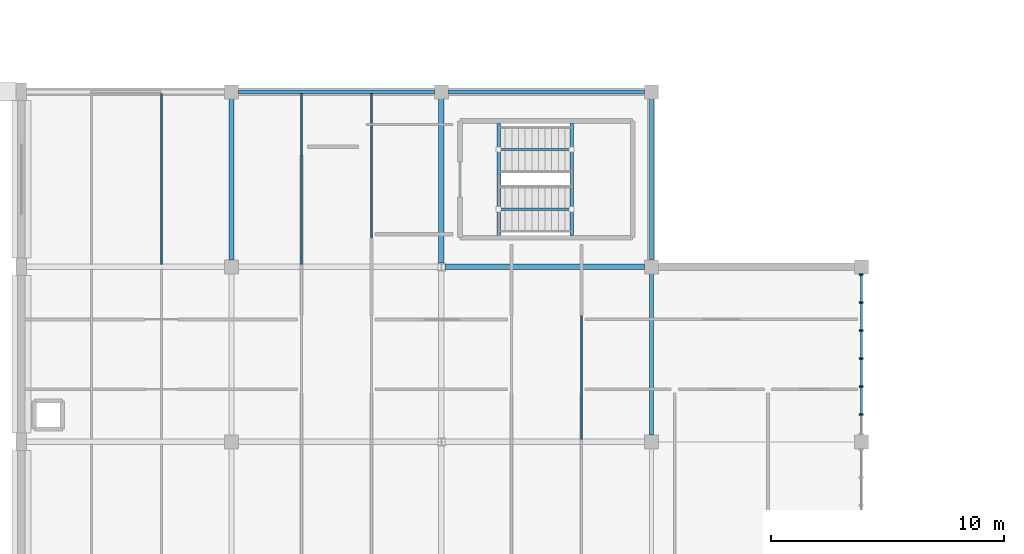
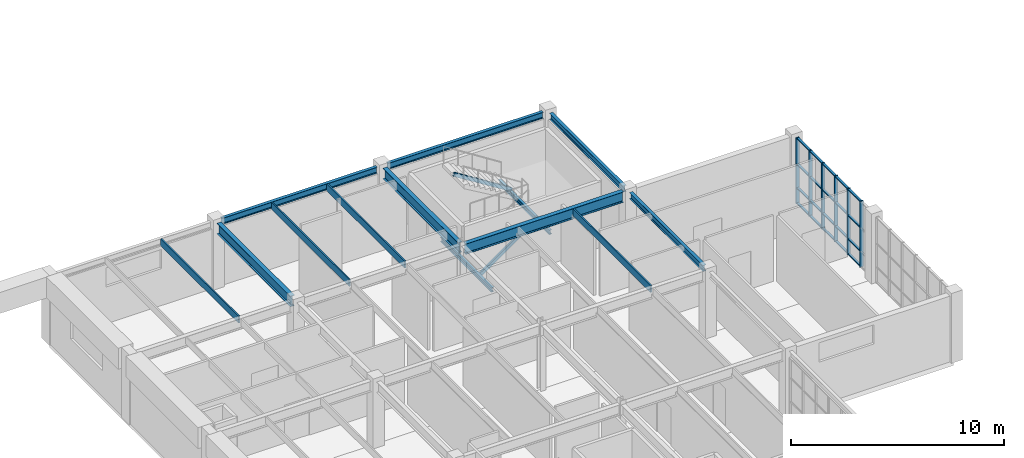
# One storey, part 22 of 76: 28 members, 13 beams, 1 element without a shape of its own.
"""IFC4 building model written with IfcOpenShell, lengths in metres."""

from ifc_helpers import new_model, si_unit, direction, frame, origin, origin_2d, place, context, subcontext, project, spatial, rectangle, hollow_rectangle, i_section, extrude, material, layer, layer_set, material_profile, profile_set, type_object, element, aggregate, save


model = new_model("IFC4")

# Units and contexts
model_context = context("Model", 3, precision=1e-05, world=origin(), true_north=direction((0.0, 1.0)))
body_context = subcontext(model_context, "Body", "Model", "MODEL_VIEW")
ifc_project = project(units=[si_unit("LENGTHUNIT", "METRE"), si_unit("AREAUNIT", "SQUARE_METRE"), si_unit("VOLUMEUNIT", "CUBIC_METRE"), si_unit("PLANEANGLEUNIT", "RADIAN"), si_unit("MASSUNIT", "GRAM", prefix="KILO")], contexts=[model_context])

# Site, building, storey
site_placement = place(None, origin())
site = spatial("IfcSite", under=ifc_project, at=site_placement, CompositionType="ELEMENT")
building_placement = place(site_placement, origin())
building = spatial("IfcBuilding", under=site, at=building_placement, Name="Marnridge Secondary College", CompositionType="ELEMENT")
storey_placement = place(building_placement, frame((0.0, 0.0, 4.5)))
storey = spatial("IfcBuildingStorey", under=building, at=storey_placement, Name="L01", CompositionType="ELEMENT", Elevation=4.5)

# Beams
ifc_material_1 = material(Name="Engineered timber LVL E13.2", Category="wood")
ifc_material_profile_1 = material_profile(ifc_material_1, rectangle(XDim=0.074951171875, YDim=0.39990234375, at=origin_2d()), Name="LVL 75x400")
ifc_profile_set_1 = profile_set([ifc_material_profile_1], Name="Engineered timber LVL E13.2")
beam_type_1 = type_object("IfcBeamType", Name="BM-LVL400-INT", PredefinedType="JOIST", material=ifc_profile_set_1)
for number, where, z_axis, x_axis, name in (
    (1, (96.0, 22.60791015625, 3.570068359375), (0.0, 1.0, 0.0), (-1.0, 0.0, 0.0), "Beam BJ-L01-0549"),
    (2, (102.0, 22.60791015625, 3.570068359375), (0.0, 1.0, 0.0), (-1.0, 0.0, 0.0), "Beam BJ-L01-0554"),
    (3, (105.0, 22.60791015625, 3.570068359375), (0.0, 1.0, 0.0), (-1.0, 0.0, 0.0), "Beam BJ-L01-0555"),
):
    element("IfcBeam", number, at=place(storey_placement, frame(where, z_axis=z_axis, x_axis=x_axis)), inside=storey, type_object=beam_type_1, Name=name, PredefinedType="JOIST", context=body_context, shape_type="SweptSolid", body=[
        extrude(rectangle(XDim=0.074951171875, YDim=0.39990234375, at=origin_2d()), origin(), (0.0, 0.0, 1.0), 7.3125),
    ])
beam_1_placement = place(storey_placement, frame((114.0, 15.10791015625, 3.570068359375), z_axis=(0.0, 1.0, 0.0), x_axis=(-1.0, 0.0, 0.0)))
element("IfcBeam", 4, at=beam_1_placement, inside=storey, type_object=beam_type_1, Name="Beam BJ-L01-0561", PredefinedType="JOIST", context=body_context, shape_type="SweptSolid", body=[
    extrude(rectangle(XDim=0.074951171875, YDim=0.39990234375, at=origin_2d()), origin(), (0.0, 0.0, 1.0), 7.2841796875),
])
ifc_material_2 = material(Name="Structural steel Grade 350 (AS/NZS 3679.1/.2, fy = 340-360 MPa)", Category="steel")
ifc_material_profile_2 = material_profile(ifc_material_2, i_section(OverallWidth=0.146240234375, OverallDepth=0.256103515625, WebThickness=0.00634765625, FlangeThickness=0.010986328125, FilletRadius=0.0087890625, at=origin_2d()), Name="250UB37.3")
ifc_profile_set_2 = profile_set([ifc_material_profile_2], Name="Structural steel Grade 350 (AS/NZS 3679.1/.2, fy = 340-360 MPa)")
beam_type_2 = type_object("IfcBeamType", Name="BM-UB250-EXT", PredefinedType="LINTEL", material=ifc_profile_set_2)
for number, where, z_axis, x_axis, name in (
    (5, (110.449951171875, 23.842041015625, -0.528076171875), (0.0, 1.0, 0.0), (-1.0, 0.0, 0.0), "Stair landing trimmer beam BT-L01-054"),
    (6, (113.5849609375, 23.842041015625, 1.671875), (0.0, 1.0, 0.0), (-1.0, 0.0, 0.0), "Stair landing trimmer beam BT-L01-055"),
):
    element("IfcBeam", number, at=place(storey_placement, frame(where, z_axis=z_axis, x_axis=x_axis)), inside=storey, type_object=beam_type_2, Name=name, PredefinedType="LINTEL", context=body_context, shape_type="SweptSolid", body=[
        extrude(i_section(OverallWidth=0.146240234375, OverallDepth=0.256103515625, WebThickness=0.00634765625, FlangeThickness=0.010986328125, FilletRadius=0.0087890625, at=origin_2d()), origin(), (0.0, 0.0, 1.0), 4.802978515625),
    ])
ifc_material_3 = material(Name="Structural steel Grade 350 (AS/NZS 3679.1/.2, fy = 340-360 MPa)", Category="steel")
ifc_material_profile_3 = material_profile(ifc_material_3, i_section(OverallWidth=0.1708984375, OverallDepth=0.35205078125, WebThickness=0.0068359375, FlangeThickness=0.009765625, FilletRadius=0.011474609375, at=origin_2d()), Name="360UB44.7")
ifc_profile_set_3 = profile_set([ifc_material_profile_3], Name="Structural steel Grade 350 (AS/NZS 3679.1/.2, fy = 340-360 MPa)")
beam_type_3 = type_object("IfcBeamType", Name="BM-UB360-EXT", PredefinedType="SPANDREL", material=ifc_profile_set_3)
beam_2_placement = place(storey_placement, frame((99.2939453125, 30.0, 3.593994140625), z_axis=(1.0, 0.0, 0.0), x_axis=(0.0, 1.0, 0.0)))
element("IfcBeam", 7, at=beam_2_placement, inside=storey, type_object=beam_type_3, Name="Beam BS-L01-0533", PredefinedType="SPANDREL", context=body_context, shape_type="SweptSolid", body=[
    extrude(i_section(OverallWidth=0.1708984375, OverallDepth=0.35205078125, WebThickness=0.0068359375, FlangeThickness=0.009765625, FilletRadius=0.011474609375, at=origin_2d()), origin(), (0.0, 0.0, 1.0), 8.412109375),
])
beam_3_placement = place(storey_placement, frame((117.0, 15.2939453125, 3.593994140625), z_axis=(0.0, 1.0, 0.0), x_axis=(-1.0, 0.0, 0.0)))
element("IfcBeam", 8, at=beam_3_placement, inside=storey, type_object=beam_type_3, Name="Beam BS-L01-0541", PredefinedType="SPANDREL", context=body_context, shape_type="SweptSolid", body=[
    extrude(i_section(OverallWidth=0.1708984375, OverallDepth=0.35205078125, WebThickness=0.0068359375, FlangeThickness=0.009765625, FilletRadius=0.011474609375, at=origin_2d()), origin(), (0.0, 0.0, 1.0), 6.912109375),
])
beam_4_placement = place(storey_placement, frame((108.2939453125, 30.0, 3.593994140625), z_axis=(1.0, 0.0, 0.0), x_axis=(0.0, 1.0, 0.0)))
element("IfcBeam", 9, at=beam_4_placement, inside=storey, type_object=beam_type_3, Name="Beam BS-L01-0542", PredefinedType="SPANDREL", context=body_context, shape_type="SweptSolid", body=[
    extrude(i_section(OverallWidth=0.1708984375, OverallDepth=0.35205078125, WebThickness=0.0068359375, FlangeThickness=0.009765625, FilletRadius=0.011474609375, at=origin_2d()), origin(), (0.0, 0.0, 1.0), 8.412109375),
])
beam_5_placement = place(storey_placement, frame((117.0, 22.7939453125, 3.593994140625), z_axis=(0.0, 1.0, 0.0), x_axis=(-1.0, 0.0, 0.0)))
element("IfcBeam", 10, at=beam_5_placement, inside=storey, type_object=beam_type_3, Name="Beam BS-L01-0543", PredefinedType="SPANDREL", context=body_context, shape_type="SweptSolid", body=[
    extrude(i_section(OverallWidth=0.1708984375, OverallDepth=0.35205078125, WebThickness=0.0068359375, FlangeThickness=0.009765625, FilletRadius=0.011474609375, at=origin_2d()), origin(), (0.0, 0.0, 1.0), 6.912109375),
])
ifc_material_4 = material(Name="Structural steel Grade 350 (AS/NZS 3679.1/.2, fy = 340-360 MPa)", Category="steel")
ifc_material_profile_4 = material_profile(ifc_material_4, i_section(OverallWidth=0.2275390625, OverallDepth=0.602294921875, WebThickness=0.010498046875, FlangeThickness=0.014892578125, FilletRadius=0.013916015625, at=origin_2d()), Name="610UB101")
ifc_profile_set_4 = profile_set([ifc_material_profile_4], Name="Structural steel Grade 350 (AS/NZS 3679.1/.2, fy = 340-360 MPa)")
beam_type_4 = type_object("IfcBeamType", Name="BM-UB610A-INT", PredefinedType="BEAM", material=ifc_profile_set_4)
beam_6_placement = place(storey_placement, frame((99.0, 22.7939453125, 3.468994140625), z_axis=(0.0, 1.0, 0.0), x_axis=(-1.0, 0.0, 0.0)))
element("IfcBeam", 11, at=beam_6_placement, inside=storey, type_object=beam_type_4, Name="Beam B-L01-0525", PredefinedType="BEAM", context=body_context, shape_type="SweptSolid", body=[
    extrude(i_section(OverallWidth=0.2275390625, OverallDepth=0.602294921875, WebThickness=0.010498046875, FlangeThickness=0.014892578125, FilletRadius=0.013916015625, at=origin_2d()), origin(), (0.0, 0.0, 1.0), 6.912109375),
])
beam_7_placement = place(storey_placement, frame((108.0, 22.654296875, 3.468994140625), z_axis=(0.0, 1.0, 0.0), x_axis=(-1.0, 0.0, 0.0)))
element("IfcBeam", 12, at=beam_7_placement, inside=storey, type_object=beam_type_4, Name="Beam B-L01-0534", PredefinedType="BEAM", context=body_context, shape_type="SweptSolid", body=[
    extrude(i_section(OverallWidth=0.2275390625, OverallDepth=0.602294921875, WebThickness=0.010498046875, FlangeThickness=0.014892578125, FilletRadius=0.013916015625, at=origin_2d()), origin(), (0.0, 0.0, 1.0), 7.0517578125),
])
beam_8_placement = place(storey_placement, frame((108.148681640625, 22.5, 3.468994140625), z_axis=(1.0, 0.0, 0.0), x_axis=(0.0, 1.0, 0.0)))
element("IfcBeam", 13, at=beam_8_placement, inside=storey, type_object=beam_type_4, Name="Beam B-L01-0540", PredefinedType="BEAM", context=body_context, shape_type="SweptSolid", body=[
    extrude(i_section(OverallWidth=0.2275390625, OverallDepth=0.602294921875, WebThickness=0.010498046875, FlangeThickness=0.014892578125, FilletRadius=0.013916015625, at=origin_2d()), origin(), (0.0, 0.0, 1.0), 8.557373046875),
])

# Curtain wall, members
ifc_material_5 = material(Name="Thermally broken aluminium and low-E glazing", Category="aluminium")
ifc_layer = layer(ifc_material_5, 0.179931640625)
ifc_layer_set = layer_set([ifc_layer], Name="CW-MOD-1200")
curtain_wall_type = type_object("IfcCurtainWallType", Name="CW-MOD-1200", PredefinedType="NOTDEFINED", material=ifc_layer_set)
curtain_wall_placement = place(storey_placement, origin())
curtain_wall = element("IfcCurtainWall", 14, at=curtain_wall_placement, inside=storey, type_object=curtain_wall_type, Name="Unitised curtain wall CW-L01-042", PredefinedType="NOTDEFINED")
ifc_material_6 = material(Name="Anodised aluminium 6063-T6", Category="aluminium")
ifc_material_profile_5 = material_profile(ifc_material_6, rectangle(XDim=0.06494140625, YDim=0.179931640625, at=origin_2d()), Name="ALU 65x180")
ifc_profile_set_5 = profile_set([ifc_material_profile_5], Name="Anodised aluminium 6063-T6")
member_type_1 = type_object("IfcMemberType", Name="CWM-ALU180", PredefinedType="MULLION", material=ifc_profile_set_5)
member_1_placement = place(storey_placement, frame((126.0, 22.16357421875, 0.0), z_axis=(0.0, 0.0, 1.0), x_axis=(0.0, -1.0, 0.0)))
member_1 = element("IfcMember", 15, at=member_1_placement, type_object=member_type_1, Name="CW-L01-042 mullion 1", PredefinedType="MULLION", context=body_context, shape_type="SweptSolid", body=[
    extrude(rectangle(XDim=0.06494140625, YDim=0.179931640625, at=origin_2d()), origin(), (0.0, 0.0, 1.0), 3.77001953125),
])
member_2_placement = place(storey_placement, frame((126.0, 20.96337890625, 0.0), z_axis=(0.0, 0.0, 1.0), x_axis=(0.0, -1.0, 0.0)))
member_2 = element("IfcMember", 16, at=member_2_placement, type_object=member_type_1, Name="CW-L01-042 mullion 2", PredefinedType="MULLION", context=body_context, shape_type="SweptSolid", body=[
    extrude(rectangle(XDim=0.06494140625, YDim=0.179931640625, at=origin_2d()), origin(), (0.0, 0.0, 1.0), 3.77001953125),
])
member_3_placement = place(storey_placement, frame((126.0, 19.763427734375, 0.0), z_axis=(0.0, 0.0, 1.0), x_axis=(0.0, -1.0, 0.0)))
member_3 = element("IfcMember", 17, at=member_3_placement, type_object=member_type_1, Name="CW-L01-042 mullion 3", PredefinedType="MULLION", context=body_context, shape_type="SweptSolid", body=[
    extrude(rectangle(XDim=0.06494140625, YDim=0.179931640625, at=origin_2d()), origin(), (0.0, 0.0, 1.0), 3.77001953125),
])
member_4_placement = place(storey_placement, frame((126.0, 18.5634765625, 0.0), z_axis=(0.0, 0.0, 1.0), x_axis=(0.0, -1.0, 0.0)))
member_4 = element("IfcMember", 18, at=member_4_placement, type_object=member_type_1, Name="CW-L01-042 mullion 4", PredefinedType="MULLION", context=body_context, shape_type="SweptSolid", body=[
    extrude(rectangle(XDim=0.06494140625, YDim=0.179931640625, at=origin_2d()), origin(), (0.0, 0.0, 1.0), 3.77001953125),
])
member_5_placement = place(storey_placement, frame((126.0, 17.363525390625, 0.0), z_axis=(0.0, 0.0, 1.0), x_axis=(0.0, -1.0, 0.0)))
member_5 = element("IfcMember", 19, at=member_5_placement, type_object=member_type_1, Name="CW-L01-042 mullion 5", PredefinedType="MULLION", context=body_context, shape_type="SweptSolid", body=[
    extrude(rectangle(XDim=0.06494140625, YDim=0.179931640625, at=origin_2d()), origin(), (0.0, 0.0, 1.0), 3.77001953125),
])
member_6_placement = place(storey_placement, frame((126.0, 16.16357421875, 0.0), z_axis=(0.0, 0.0, 1.0), x_axis=(0.0, -1.0, 0.0)))
member_6 = element("IfcMember", 20, at=member_6_placement, type_object=member_type_1, Name="CW-L01-042 mullion 6", PredefinedType="MULLION", context=body_context, shape_type="SweptSolid", body=[
    extrude(rectangle(XDim=0.06494140625, YDim=0.179931640625, at=origin_2d()), origin(), (0.0, 0.0, 1.0), 3.77001953125),
])
ifc_material_7 = material(Name="Anodised aluminium 6063-T6", Category="aluminium")
ifc_material_profile_6 = material_profile(ifc_material_7, rectangle(XDim=0.06005859375, YDim=0.1201171875, at=origin_2d()), Name="ALU 60x120")
ifc_profile_set_6 = profile_set([ifc_material_profile_6], Name="Anodised aluminium 6063-T6")
member_type_2 = type_object("IfcMemberType", Name="CWT-ALU120", PredefinedType="USERDEFINED", material=ifc_profile_set_6)
member_7_placement = place(storey_placement, frame((126.0, 22.131103515625, 0.030029296875), z_axis=(0.0, -1.0, 0.0), x_axis=(0.0, 0.0, 1.0)))
member_7 = element("IfcMember", 21, at=member_7_placement, type_object=member_type_2, Name="CW-L01-042 transom 1.1", ObjectType="TRANSOM", PredefinedType="USERDEFINED", context=body_context, shape_type="SweptSolid", body=[
    extrude(rectangle(XDim=0.06005859375, YDim=0.1201171875, at=origin_2d()), origin(), (0.0, 0.0, 1.0), 1.135009765625),
])
member_8_placement = place(storey_placement, frame((126.0, 22.131103515625, 0.89990234375), z_axis=(0.0, -1.0, 0.0), x_axis=(0.0, 0.0, 1.0)))
member_8 = element("IfcMember", 22, at=member_8_placement, type_object=member_type_2, Name="CW-L01-042 transom 1.2", ObjectType="TRANSOM", PredefinedType="USERDEFINED", context=body_context, shape_type="SweptSolid", body=[
    extrude(rectangle(XDim=0.06005859375, YDim=0.1201171875, at=origin_2d()), origin(), (0.0, 0.0, 1.0), 1.135009765625),
])
member_9_placement = place(storey_placement, frame((126.0, 22.131103515625, 2.25), z_axis=(0.0, -1.0, 0.0), x_axis=(0.0, 0.0, 1.0)))
member_9 = element("IfcMember", 23, at=member_9_placement, type_object=member_type_2, Name="CW-L01-042 transom 1.3", ObjectType="TRANSOM", PredefinedType="USERDEFINED", context=body_context, shape_type="SweptSolid", body=[
    extrude(rectangle(XDim=0.06005859375, YDim=0.1201171875, at=origin_2d()), origin(), (0.0, 0.0, 1.0), 1.135009765625),
])
member_10_placement = place(storey_placement, frame((126.0, 22.131103515625, 3.739990234375), z_axis=(0.0, -1.0, 0.0), x_axis=(0.0, 0.0, 1.0)))
member_10 = element("IfcMember", 24, at=member_10_placement, type_object=member_type_2, Name="CW-L01-042 transom 1.4", ObjectType="TRANSOM", PredefinedType="USERDEFINED", context=body_context, shape_type="SweptSolid", body=[
    extrude(rectangle(XDim=0.06005859375, YDim=0.1201171875, at=origin_2d()), origin(), (0.0, 0.0, 1.0), 1.135009765625),
])
member_11_placement = place(storey_placement, frame((126.0, 20.930908203125, 0.030029296875), z_axis=(0.0, -1.0, 0.0), x_axis=(0.0, 0.0, 1.0)))
member_11 = element("IfcMember", 25, at=member_11_placement, type_object=member_type_2, Name="CW-L01-042 transom 2.1", ObjectType="TRANSOM", PredefinedType="USERDEFINED", context=body_context, shape_type="SweptSolid", body=[
    extrude(rectangle(XDim=0.06005859375, YDim=0.1201171875, at=origin_2d()), origin(), (0.0, 0.0, 1.0), 1.135009765625),
])
member_12_placement = place(storey_placement, frame((126.0, 20.930908203125, 0.89990234375), z_axis=(0.0, -1.0, 0.0), x_axis=(0.0, 0.0, 1.0)))
member_12 = element("IfcMember", 26, at=member_12_placement, type_object=member_type_2, Name="CW-L01-042 transom 2.2", ObjectType="TRANSOM", PredefinedType="USERDEFINED", context=body_context, shape_type="SweptSolid", body=[
    extrude(rectangle(XDim=0.06005859375, YDim=0.1201171875, at=origin_2d()), origin(), (0.0, 0.0, 1.0), 1.135009765625),
])
member_13_placement = place(storey_placement, frame((126.0, 20.930908203125, 2.25), z_axis=(0.0, -1.0, 0.0), x_axis=(0.0, 0.0, 1.0)))
member_13 = element("IfcMember", 27, at=member_13_placement, type_object=member_type_2, Name="CW-L01-042 transom 2.3", ObjectType="TRANSOM", PredefinedType="USERDEFINED", context=body_context, shape_type="SweptSolid", body=[
    extrude(rectangle(XDim=0.06005859375, YDim=0.1201171875, at=origin_2d()), origin(), (0.0, 0.0, 1.0), 1.135009765625),
])
member_14_placement = place(storey_placement, frame((126.0, 20.930908203125, 3.739990234375), z_axis=(0.0, -1.0, 0.0), x_axis=(0.0, 0.0, 1.0)))
member_14 = element("IfcMember", 28, at=member_14_placement, type_object=member_type_2, Name="CW-L01-042 transom 2.4", ObjectType="TRANSOM", PredefinedType="USERDEFINED", context=body_context, shape_type="SweptSolid", body=[
    extrude(rectangle(XDim=0.06005859375, YDim=0.1201171875, at=origin_2d()), origin(), (0.0, 0.0, 1.0), 1.135009765625),
])
member_15_placement = place(storey_placement, frame((126.0, 19.73095703125, 0.030029296875), z_axis=(0.0, -1.0, 0.0), x_axis=(0.0, 0.0, 1.0)))
member_15 = element("IfcMember", 29, at=member_15_placement, type_object=member_type_2, Name="CW-L01-042 transom 3.1", ObjectType="TRANSOM", PredefinedType="USERDEFINED", context=body_context, shape_type="SweptSolid", body=[
    extrude(rectangle(XDim=0.06005859375, YDim=0.1201171875, at=origin_2d()), origin(), (0.0, 0.0, 1.0), 1.135009765625),
])
member_16_placement = place(storey_placement, frame((126.0, 19.73095703125, 0.89990234375), z_axis=(0.0, -1.0, 0.0), x_axis=(0.0, 0.0, 1.0)))
member_16 = element("IfcMember", 30, at=member_16_placement, type_object=member_type_2, Name="CW-L01-042 transom 3.2", ObjectType="TRANSOM", PredefinedType="USERDEFINED", context=body_context, shape_type="SweptSolid", body=[
    extrude(rectangle(XDim=0.06005859375, YDim=0.1201171875, at=origin_2d()), origin(), (0.0, 0.0, 1.0), 1.135009765625),
])
member_17_placement = place(storey_placement, frame((126.0, 19.73095703125, 2.25), z_axis=(0.0, -1.0, 0.0), x_axis=(0.0, 0.0, 1.0)))
member_17 = element("IfcMember", 31, at=member_17_placement, type_object=member_type_2, Name="CW-L01-042 transom 3.3", ObjectType="TRANSOM", PredefinedType="USERDEFINED", context=body_context, shape_type="SweptSolid", body=[
    extrude(rectangle(XDim=0.06005859375, YDim=0.1201171875, at=origin_2d()), origin(), (0.0, 0.0, 1.0), 1.135009765625),
])
member_18_placement = place(storey_placement, frame((126.0, 19.73095703125, 3.739990234375), z_axis=(0.0, -1.0, 0.0), x_axis=(0.0, 0.0, 1.0)))
member_18 = element("IfcMember", 32, at=member_18_placement, type_object=member_type_2, Name="CW-L01-042 transom 3.4", ObjectType="TRANSOM", PredefinedType="USERDEFINED", context=body_context, shape_type="SweptSolid", body=[
    extrude(rectangle(XDim=0.06005859375, YDim=0.1201171875, at=origin_2d()), origin(), (0.0, 0.0, 1.0), 1.135009765625),
])
member_19_placement = place(storey_placement, frame((126.0, 18.531005859375, 0.030029296875), z_axis=(0.0, -1.0, 0.0), x_axis=(0.0, 0.0, 1.0)))
member_19 = element("IfcMember", 33, at=member_19_placement, type_object=member_type_2, Name="CW-L01-042 transom 4.1", ObjectType="TRANSOM", PredefinedType="USERDEFINED", context=body_context, shape_type="SweptSolid", body=[
    extrude(rectangle(XDim=0.06005859375, YDim=0.1201171875, at=origin_2d()), origin(), (0.0, 0.0, 1.0), 1.135009765625),
])
member_20_placement = place(storey_placement, frame((126.0, 18.531005859375, 0.89990234375), z_axis=(0.0, -1.0, 0.0), x_axis=(0.0, 0.0, 1.0)))
member_20 = element("IfcMember", 34, at=member_20_placement, type_object=member_type_2, Name="CW-L01-042 transom 4.2", ObjectType="TRANSOM", PredefinedType="USERDEFINED", context=body_context, shape_type="SweptSolid", body=[
    extrude(rectangle(XDim=0.06005859375, YDim=0.1201171875, at=origin_2d()), origin(), (0.0, 0.0, 1.0), 1.135009765625),
])
member_21_placement = place(storey_placement, frame((126.0, 18.531005859375, 2.25), z_axis=(0.0, -1.0, 0.0), x_axis=(0.0, 0.0, 1.0)))
member_21 = element("IfcMember", 35, at=member_21_placement, type_object=member_type_2, Name="CW-L01-042 transom 4.3", ObjectType="TRANSOM", PredefinedType="USERDEFINED", context=body_context, shape_type="SweptSolid", body=[
    extrude(rectangle(XDim=0.06005859375, YDim=0.1201171875, at=origin_2d()), origin(), (0.0, 0.0, 1.0), 1.135009765625),
])
member_22_placement = place(storey_placement, frame((126.0, 18.531005859375, 3.739990234375), z_axis=(0.0, -1.0, 0.0), x_axis=(0.0, 0.0, 1.0)))
member_22 = element("IfcMember", 36, at=member_22_placement, type_object=member_type_2, Name="CW-L01-042 transom 4.4", ObjectType="TRANSOM", PredefinedType="USERDEFINED", context=body_context, shape_type="SweptSolid", body=[
    extrude(rectangle(XDim=0.06005859375, YDim=0.1201171875, at=origin_2d()), origin(), (0.0, 0.0, 1.0), 1.135009765625),
])
member_23_placement = place(storey_placement, frame((126.0, 17.3310546875, 0.030029296875), z_axis=(0.0, -1.0, 0.0), x_axis=(0.0, 0.0, 1.0)))
member_23 = element("IfcMember", 37, at=member_23_placement, type_object=member_type_2, Name="CW-L01-042 transom 5.1", ObjectType="TRANSOM", PredefinedType="USERDEFINED", context=body_context, shape_type="SweptSolid", body=[
    extrude(rectangle(XDim=0.06005859375, YDim=0.1201171875, at=origin_2d()), origin(), (0.0, 0.0, 1.0), 1.135009765625),
])
member_24_placement = place(storey_placement, frame((126.0, 17.3310546875, 0.89990234375), z_axis=(0.0, -1.0, 0.0), x_axis=(0.0, 0.0, 1.0)))
member_24 = element("IfcMember", 38, at=member_24_placement, type_object=member_type_2, Name="CW-L01-042 transom 5.2", ObjectType="TRANSOM", PredefinedType="USERDEFINED", context=body_context, shape_type="SweptSolid", body=[
    extrude(rectangle(XDim=0.06005859375, YDim=0.1201171875, at=origin_2d()), origin(), (0.0, 0.0, 1.0), 1.135009765625),
])
member_25_placement = place(storey_placement, frame((126.0, 17.3310546875, 2.25), z_axis=(0.0, -1.0, 0.0), x_axis=(0.0, 0.0, 1.0)))
member_25 = element("IfcMember", 39, at=member_25_placement, type_object=member_type_2, Name="CW-L01-042 transom 5.3", ObjectType="TRANSOM", PredefinedType="USERDEFINED", context=body_context, shape_type="SweptSolid", body=[
    extrude(rectangle(XDim=0.06005859375, YDim=0.1201171875, at=origin_2d()), origin(), (0.0, 0.0, 1.0), 1.135009765625),
])
member_26_placement = place(storey_placement, frame((126.0, 17.3310546875, 3.739990234375), z_axis=(0.0, -1.0, 0.0), x_axis=(0.0, 0.0, 1.0)))
member_26 = element("IfcMember", 40, at=member_26_placement, type_object=member_type_2, Name="CW-L01-042 transom 5.4", ObjectType="TRANSOM", PredefinedType="USERDEFINED", context=body_context, shape_type="SweptSolid", body=[
    extrude(rectangle(XDim=0.06005859375, YDim=0.1201171875, at=origin_2d()), origin(), (0.0, 0.0, 1.0), 1.135009765625),
])
aggregate(curtain_wall, [member_1, member_2, member_3, member_4, member_5, member_6, member_7, member_8, member_9, member_10, member_11, member_12, member_13, member_14, member_15, member_16, member_17, member_18, member_19, member_20, member_21, member_22, member_23, member_24, member_25, member_26])

# Members
ifc_material_8 = material(Name="Cold-formed steel Grade C350L0 (AS/NZS 1163, fy = 350 MPa)", Category="steel")
ifc_material_profile_7 = material_profile(ifc_material_8, hollow_rectangle(XDim=0.10009765625, YDim=0.199951171875, WallThickness=0.006103515625, at=origin_2d()), Name="200x100x6.0RHS")
ifc_profile_set_7 = profile_set([ifc_material_profile_7], Name="Cold-formed steel Grade C350L0 (AS/NZS 1163, fy = 350 MPa)")
member_type_3 = type_object("IfcMemberType", Name="MB-STR-RHS200", PredefinedType="STRINGER", material=ifc_profile_set_7)
member_27_placement = place(storey_placement, frame((110.449951171875, 24.969970703125, -0.30810546875), z_axis=(0.818533555274, 0.0, 0.574458718178), x_axis=(0.0, 1.0, 0.0)))
element("IfcMember", 41, at=member_27_placement, inside=storey, type_object=member_type_3, Name="Stair stringer STR-055", PredefinedType="STRINGER", context=body_context, shape_type="SweptSolid", body=[
    extrude(hollow_rectangle(XDim=0.10009765625, YDim=0.199951171875, WallThickness=0.006103515625, at=origin_2d()), origin(), (0.0, 0.0, 1.0), 3.830078125),
])
member_28_placement = place(storey_placement, frame((113.5849609375, 27.530029296875, 1.89208984375), z_axis=(-0.846710388579, 0.0, 0.532054055404), x_axis=(0.0, -1.0, 0.0)))
element("IfcMember", 42, at=member_28_placement, inside=storey, type_object=member_type_3, Name="Stair stringer STR-056", PredefinedType="STRINGER", context=body_context, shape_type="SweptSolid", body=[
    extrude(hollow_rectangle(XDim=0.10009765625, YDim=0.199951171875, WallThickness=0.006103515625, at=origin_2d()), origin(), (0.0, 0.0, 1.0), 3.70263671875),
])

save(model, "model.ifc")
